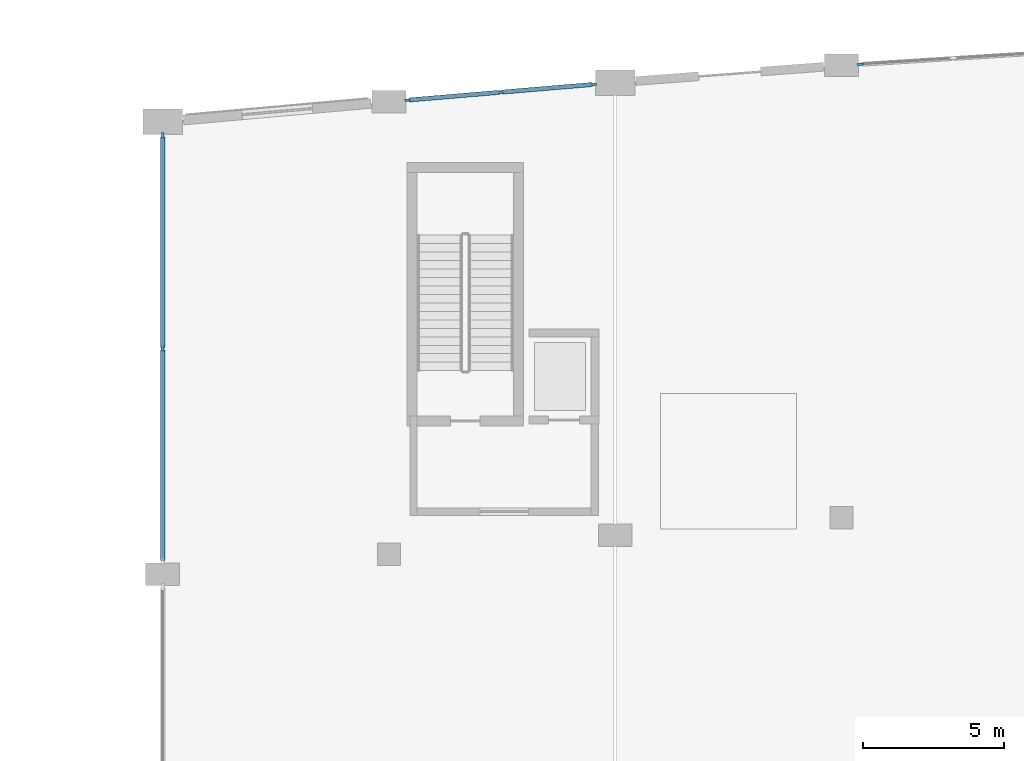
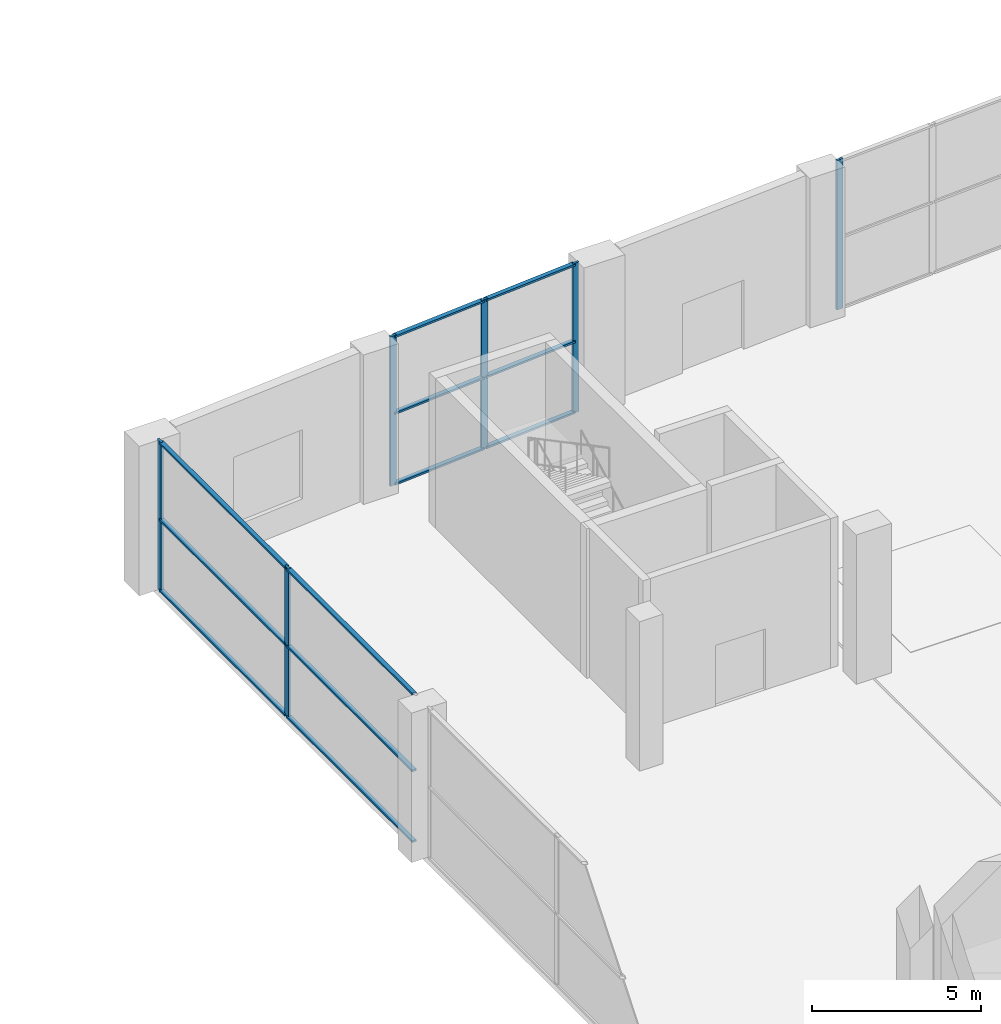
# One storey, part 29 of 86: 18 members, 3 elements without a shape of their own.
"""IFC4 building model written with IfcOpenShell, lengths in metres."""

import ifcopenshell
import ifcopenshell.guid

model = None  # the IFC model being written
_history = None  # IfcOwnerHistory: only IFC2X3 demands one
_inside = {}  # id of a spatial element -> (the spatial element, [elements in it])
_under = {}  # id of a project, library or spatial element -> (it, [spatial elements below it])
_declared = {}  # id of a project -> (the project, [libraries it declares])
_typed = {}  # id of a type object -> (the type object, [elements of that type])
_made_of = {}  # id of a material, layer set ... -> (it, [elements and type objects made of it])


def new_model(schema):
    """Start an empty IFC model of exactly this schema.

    Asked for "IFC4X3", IfcOpenShell would pick the latest addendum, in which some entities
    have other attributes; the version numbers below select the first issue.
    IFC2X3 requires an IfcOwnerHistory on every rooted entity: one is made here for all.
    """
    global model, _history
    if schema == "IFC4X3":
        model = ifcopenshell.file(schema_version=(4, 3, 0, 0))
    else:
        model = ifcopenshell.file(schema=schema)
    _inside.clear()
    _under.clear()
    _declared.clear()
    _typed.clear()
    _made_of.clear()
    _history = None
    if model.schema == "IFC2X3":
        org = make("IfcOrganization", Name="unknown")
        user = make(
            "IfcPersonAndOrganization",
            ThePerson=make("IfcPerson", FamilyName="unknown"),
            TheOrganization=org,
        )
        app = make(
            "IfcApplication",
            ApplicationDeveloper=org,
            Version="unknown",
            ApplicationFullName="unknown",
            ApplicationIdentifier="unknown",
        )
        _history = make(
            "IfcOwnerHistory",
            OwningUser=user,
            OwningApplication=app,
            ChangeAction="ADDED",
            CreationDate=0,
        )
    return model


def make(cls, **values):
    """One entity of the class cls with the attributes given. An attribute that is None is left unset."""
    return model.create_entity(
        cls, **{name: value for name, value in values.items() if value is not None}
    )


def rooted(cls, **values):
    """An entity with a GlobalId (a new one), such as an element, a storey or a relation."""
    return make(cls, GlobalId=ifcopenshell.guid.new(), OwnerHistory=_history, **values)


def si_unit(unit_type, name, prefix=None):
    """IfcSIUnit, for example si_unit("LENGTHUNIT", "METRE", prefix="MILLI")."""
    return make("IfcSIUnit", UnitType=unit_type, Prefix=prefix, Name=name)


def assignment(units):
    """IfcUnitAssignment: the units of a project."""
    return None if units is None else make("IfcUnitAssignment", Units=units)


def point(xyz):
    """IfcCartesianPoint."""
    return None if xyz is None else make("IfcCartesianPoint", Coordinates=xyz)


def direction(xyz):
    """IfcDirection."""
    return None if xyz is None else make("IfcDirection", DirectionRatios=xyz)


def frame(location, z_axis=None, x_axis=None):
    """IfcAxis2Placement3D, a coordinate frame: its origin and axes. An axis left out is left unset."""
    return make(
        "IfcAxis2Placement3D",
        Location=point(location),
        Axis=direction(z_axis),
        RefDirection=direction(x_axis),
    )


def frame_2d(location, x_axis=None):
    """IfcAxis2Placement2D, a coordinate frame in the plane: its origin and x axis."""
    return make(
        "IfcAxis2Placement2D", Location=point(location), RefDirection=direction(x_axis)
    )


def origin():
    """The frame at (0, 0, 0) with its axes left unset."""
    return frame((0.0, 0.0, 0.0))


def origin_2d():
    """The frame at (0, 0) in the plane with its x axis left unset."""
    return frame_2d((0.0, 0.0))


def place(relative_to, where):
    """IfcLocalPlacement: puts the frame where relative to a parent placement (None: the world)."""
    return make(
        "IfcLocalPlacement", PlacementRelTo=relative_to, RelativePlacement=where
    )


def context(
    kind, dimensions, precision=None, world=None, true_north=None, identifier=None
):
    """IfcGeometricRepresentationContext, for example the 3D "Model" context."""
    return make(
        "IfcGeometricRepresentationContext",
        ContextIdentifier=identifier,
        ContextType=kind,
        CoordinateSpaceDimension=dimensions,
        Precision=precision,
        WorldCoordinateSystem=world,
        TrueNorth=true_north,
    )


def subcontext(parent, identifier, kind, view, scale=None):
    """IfcGeometricRepresentationSubContext, for example "Body" below "Model"."""
    return make(
        "IfcGeometricRepresentationSubContext",
        ContextIdentifier=identifier,
        ContextType=kind,
        ParentContext=parent,
        TargetScale=scale,
        TargetView=view,
    )


def project(units=None, contexts=None):
    """IfcProject with its units and contexts."""
    return rooted(
        "IfcProject",
        Name="project",
        RepresentationContexts=contexts,
        UnitsInContext=assignment(units),
    )


def spatial(cls, under=None, at=None, **own):
    """A site, building, storey or space (cls), placed at a placement, below another one or the project."""
    s = rooted(cls, ObjectPlacement=at, **own)
    if under is not None:
        _under.setdefault(under.id(), (under, []))[1].append(s)
    return s


def profile(cls, at=None, kind="AREA", **sizes):
    """A parametric profile (cls). Its sizes go by their IFC names, for example OverallWidth=200.0."""
    return make(cls, ProfileType=kind, Position=at, **sizes)


def rectangle(**sizes):
    """IfcRectangleProfileDef."""
    return profile("IfcRectangleProfileDef", **sizes)


def extrude(swept, where, along, depth):
    """IfcExtrudedAreaSolid: the profile swept, set in the frame where, extruded along a direction by depth."""
    return make(
        "IfcExtrudedAreaSolid",
        SweptArea=swept,
        Position=where,
        ExtrudedDirection=direction(along),
        Depth=depth,
    )


def shape(context_of_items, identifier, shape_type, items):
    """IfcShapeRepresentation: the items that make up one representation, for example the "Body"."""
    return make(
        "IfcShapeRepresentation",
        ContextOfItems=context_of_items,
        RepresentationIdentifier=identifier,
        RepresentationType=shape_type,
        Items=items,
    )


def material(Name=None, Category=None):
    """IfcMaterial."""
    return make("IfcMaterial", Name=Name, Category=Category)


def material_profile(
    of_material, cross_section, Name=None, Category=None, Priority=None
):
    """IfcMaterialProfile: a cross section and its material."""
    return make(
        "IfcMaterialProfile",
        Name=Name,
        Material=of_material,
        Profile=cross_section,
        Priority=Priority,
        Category=Category,
    )


def profile_set(profiles, Name=None, composite=None):
    """IfcMaterialProfileSet."""
    return make(
        "IfcMaterialProfileSet",
        Name=Name,
        MaterialProfiles=profiles,
        CompositeProfile=composite,
    )


def made_of(thing, what):
    """Note that an element or type object is made of a material, layer set ...; save() writes the relation."""
    if what is not None:
        _made_of.setdefault(what.id(), (what, []))[1].append(thing)
    return thing


def type_object(cls, material=None, **own):
    """A type object (cls), such as IfcWallType, which elements share."""
    return made_of(rooted(cls, **own), material)


def element(
    cls,
    number,
    at=None,
    inside=None,
    cuts=None,
    type_object=None,
    material=None,
    context=None,
    identifier="Body",
    shape_type=None,
    held_by="IfcProductDefinitionShape",
    body=None,
    shapes=None,
    **own,
):
    """One element of the class cls, such as IfcWall. Its Tag is "e" and its number.

    at: its placement. inside: the storey or other place that contains it. cuts: it is an
    opening in that element (IfcRelVoidsElement). A single representation is given by context,
    identifier, shape_type and body (its items); several are given by shapes. held_by: the class
    of the entity that holds the representations. save() writes the other relations.
    """
    e = rooted(cls, Tag="e%d" % number, ObjectPlacement=at, **own)
    if body is not None:
        shapes = [shape(context, identifier, shape_type, body)]
    if shapes is not None:
        e.Representation = make(held_by, Representations=shapes)
    if inside is not None:
        _inside.setdefault(inside.id(), (inside, []))[1].append(e)
    if cuts is not None:
        rooted(
            "IfcRelVoidsElement", RelatingBuildingElement=cuts, RelatedOpeningElement=e
        )
    if type_object is not None:
        _typed.setdefault(type_object.id(), (type_object, []))[1].append(e)
    return made_of(e, material)


def aggregate(whole, parts):
    """IfcRelAggregates: a whole, such as a stair, and the parts it consists of."""
    return rooted("IfcRelAggregates", RelatingObject=whole, RelatedObjects=parts)


def save(model, path):
    """Write the relations noted so far, then the file.

    IfcRelAggregates (storeys below a building ...), IfcRelContainedInSpatialStructure (elements
    in a storey), IfcRelDefinesByType, IfcRelAssociatesMaterial and IfcRelDeclares: one each for
    every whole, place, type object, material and project.
    """
    for whole, parts in _under.values():
        aggregate(whole, parts)
    for where, things in _inside.values():
        rooted(
            "IfcRelContainedInSpatialStructure",
            RelatedElements=things,
            RelatingStructure=where,
        )
    for kind, things in _typed.values():
        rooted("IfcRelDefinesByType", RelatedObjects=things, RelatingType=kind)
    for what, things in _made_of.values():
        rooted("IfcRelAssociatesMaterial", RelatedObjects=things, RelatingMaterial=what)
    for by, libraries in _declared.values():
        rooted("IfcRelDeclares", RelatingContext=by, RelatedDefinitions=libraries)
    model.write(path)


model = new_model("IFC4")

# Units and contexts
model_context = context("Model", 3, precision=1e-05, world=origin(), true_north=direction((0.0, 1.0)))
body_context = subcontext(model_context, "Body", "Model", "MODEL_VIEW")
ifc_project = project(units=[si_unit("LENGTHUNIT", "METRE"), si_unit("AREAUNIT", "SQUARE_METRE"), si_unit("VOLUMEUNIT", "CUBIC_METRE"), si_unit("PLANEANGLEUNIT", "RADIAN"), si_unit("MASSUNIT", "GRAM", prefix="KILO")], contexts=[model_context])

# Site, building, storey
site_placement = place(None, origin())
site = spatial("IfcSite", under=ifc_project, at=site_placement, CompositionType="ELEMENT")
building_placement = place(site_placement, origin())
building = spatial("IfcBuilding", under=site, at=building_placement, Name="Kenh Van Central Station", CompositionType="ELEMENT")
storey_placement = place(building_placement, origin())
storey = spatial("IfcBuildingStorey", under=building, at=storey_placement, Name="L00", CompositionType="ELEMENT", Elevation=0.0)

# Curtain wall, members
ifc_material = material(Name="Champagne anodised aluminium", Category="aluminium")
curtain_wall_type_1 = type_object("IfcCurtainWallType", Name="CW-HALL-A", PredefinedType="NOTDEFINED", material=ifc_material)
curtain_wall_1_placement = place(storey_placement, origin())
curtain_wall_1 = element("IfcCurtainWall", 1, at=curtain_wall_1_placement, inside=storey, type_object=curtain_wall_type_1, Name="L00 curtain wall 018", PredefinedType="NOTDEFINED")
ifc_material_profile_1 = material_profile(ifc_material, rectangle(XDim=0.08203125, YDim=0.22509765625, at=origin_2d()), Name="AL 82x225")
ifc_profile_set_1 = profile_set([ifc_material_profile_1], Name="Champagne anodised aluminium")
member_type_1 = type_object("IfcMemberType", Name="CWM-70x180", PredefinedType="MULLION", material=ifc_profile_set_1)
member_1_placement = place(storey_placement, frame((32.0, 103.97509765625, 0.0), z_axis=(0.0, 0.0, 1.0), x_axis=(-1.0, 0.0, 0.0)))
member_1 = element("IfcMember", 2, at=member_1_placement, type_object=member_type_1, Name="CW-01 mullion 2", PredefinedType="MULLION", context=body_context, shape_type="SweptSolid", body=[
    extrude(rectangle(XDim=0.08203125, YDim=0.22509765625, at=origin_2d()), origin(), (0.0, 0.0, 1.0), 5.39990234375),
])
member_2_placement = place(storey_placement, frame((32.0, 111.509033203125, 0.0), z_axis=(0.0, 0.0, 1.0), x_axis=(-1.0, 0.0, 0.0)))
member_2 = element("IfcMember", 3, at=member_2_placement, type_object=member_type_1, Name="CW-01 mullion 3", PredefinedType="MULLION", context=body_context, shape_type="SweptSolid", body=[
    extrude(rectangle(XDim=0.08203125, YDim=0.22509765625, at=origin_2d()), origin(), (0.0, 0.0, 1.0), 5.39990234375),
])

curtain_wall_type_2 = type_object("IfcCurtainWallType", Name="CW-HALL-B", PredefinedType="NOTDEFINED", material=ifc_material)
curtain_wall_2_placement = place(storey_placement, origin())
curtain_wall_2 = element("IfcCurtainWall", 4, at=curtain_wall_2_placement, inside=storey, type_object=curtain_wall_type_2, Name="L00 curtain wall 003", PredefinedType="NOTDEFINED")
ifc_material_profile_2 = material_profile(ifc_material, rectangle(XDim=0.080078125, YDim=0.219970703125, at=origin_2d()), Name="AL 80x220")
ifc_profile_set_2 = profile_set([ifc_material_profile_2], Name="Champagne anodised aluminium")
member_type_2 = type_object("IfcMemberType", Name="CWM-80x220", PredefinedType="MULLION", material=ifc_profile_set_2)
member_3_placement = place(storey_placement, frame((47.227294921875, 113.3232421875, 0.0), z_axis=(0.0, 0.0, 1.0), x_axis=(0.084244265333, -0.996445133341, 0.0)))
member_3 = element("IfcMember", 5, at=member_3_placement, type_object=member_type_2, Name="CW-02 mullion 1", PredefinedType="MULLION", context=body_context, shape_type="SweptSolid", body=[
    extrude(rectangle(XDim=0.080078125, YDim=0.219970703125, at=origin_2d()), origin(), (0.0, 0.0, 1.0), 5.39990234375),
])
member_4_placement = place(storey_placement, frame((43.9482421875, 113.0458984375, 0.0), z_axis=(0.0, 0.0, 1.0), x_axis=(0.084244265333, -0.996445133341, 0.0)))
member_4 = element("IfcMember", 6, at=member_4_placement, type_object=member_type_2, Name="CW-02 mullion 2", PredefinedType="MULLION", context=body_context, shape_type="SweptSolid", body=[
    extrude(rectangle(XDim=0.080078125, YDim=0.219970703125, at=origin_2d()), origin(), (0.0, 0.0, 1.0), 5.39990234375),
])
member_5_placement = place(storey_placement, frame((40.669189453125, 112.7685546875, 0.0), z_axis=(0.0, 0.0, 1.0), x_axis=(0.084244265333, -0.996445133341, 0.0)))
member_5 = element("IfcMember", 7, at=member_5_placement, type_object=member_type_2, Name="CW-02 mullion 3", PredefinedType="MULLION", context=body_context, shape_type="SweptSolid", body=[
    extrude(rectangle(XDim=0.080078125, YDim=0.219970703125, at=origin_2d()), origin(), (0.0, 0.0, 1.0), 5.39990234375),
])

# Curtain wall, member
curtain_wall_3_placement = place(storey_placement, origin())
curtain_wall_3 = element("IfcCurtainWall", 8, at=curtain_wall_3_placement, inside=storey, type_object=curtain_wall_type_2, Name="L00 curtain wall 005", PredefinedType="NOTDEFINED")
member_6_placement = place(storey_placement, frame((56.662841796875, 114.037109375, 0.0), z_axis=(0.0, 0.0, 1.0), x_axis=(0.063211477724, -0.998000154852, 0.0)))
member_6 = element("IfcMember", 9, at=member_6_placement, type_object=member_type_2, Name="CW-02 mullion 3", PredefinedType="MULLION", context=body_context, shape_type="SweptSolid", body=[
    extrude(rectangle(XDim=0.080078125, YDim=0.219970703125, at=origin_2d()), origin(), (0.0, 0.0, 1.0), 5.39990234375),
])
aggregate(curtain_wall_3, [member_6])

# Member
ifc_material_profile_3 = material_profile(ifc_material, rectangle(XDim=0.14990234375, YDim=0.070068359375, at=origin_2d()), Name="AL 150x70")
ifc_profile_set_3 = profile_set([ifc_material_profile_3], Name="Champagne anodised aluminium")
member_type_3 = type_object("IfcMemberType", Name="CWT-150x70", PredefinedType="USERDEFINED", material=ifc_profile_set_3)
member_7_placement = place(storey_placement, frame((47.1875, 113.31982421875, 0.034912109375), z_axis=(-0.996444876406, -0.084247304316, 0.0), x_axis=(0.084247304316, -0.996444876406, 0.0)))
member_7 = element("IfcMember", 10, at=member_7_placement, type_object=member_type_3, Name="CW-02 transom 1.1", ObjectType="TRANSOM", PredefinedType="USERDEFINED", context=body_context, shape_type="SweptSolid", body=[
    extrude(rectangle(XDim=0.14990234375, YDim=0.070068359375, at=origin_2d()), origin(), (0.0, 0.0, 1.0), 3.2109375),
])

member_8_placement = place(storey_placement, frame((47.1875, 113.31982421875, 2.592041015625), z_axis=(-0.996444876406, -0.084247304316, 0.0), x_axis=(0.084247304316, -0.996444876406, 0.0)))
member_8 = element("IfcMember", 11, at=member_8_placement, type_object=member_type_3, Name="CW-02 transom 1.2", ObjectType="TRANSOM", PredefinedType="USERDEFINED", context=body_context, shape_type="SweptSolid", body=[
    extrude(rectangle(XDim=0.14990234375, YDim=0.070068359375, at=origin_2d()), origin(), (0.0, 0.0, 1.0), 3.2109375),
])

member_9_placement = place(storey_placement, frame((47.1875, 113.31982421875, 5.364990234375), z_axis=(-0.996444876406, -0.084247304316, 0.0), x_axis=(0.084247304316, -0.996444876406, 0.0)))
member_9 = element("IfcMember", 12, at=member_9_placement, type_object=member_type_3, Name="CW-02 transom 1.3", ObjectType="TRANSOM", PredefinedType="USERDEFINED", context=body_context, shape_type="SweptSolid", body=[
    extrude(rectangle(XDim=0.14990234375, YDim=0.070068359375, at=origin_2d()), origin(), (0.0, 0.0, 1.0), 3.2109375),
])

member_10_placement = place(storey_placement, frame((43.908447265625, 113.04248046875, 0.034912109375), z_axis=(-0.996444876406, -0.084247304316, 0.0), x_axis=(0.084247304316, -0.996444876406, 0.0)))
member_10 = element("IfcMember", 13, at=member_10_placement, type_object=member_type_3, Name="CW-02 transom 2.1", ObjectType="TRANSOM", PredefinedType="USERDEFINED", context=body_context, shape_type="SweptSolid", body=[
    extrude(rectangle(XDim=0.14990234375, YDim=0.070068359375, at=origin_2d()), origin(), (0.0, 0.0, 1.0), 3.2109375),
])

member_11_placement = place(storey_placement, frame((43.908447265625, 113.04248046875, 2.592041015625), z_axis=(-0.996444876406, -0.084247304316, 0.0), x_axis=(0.084247304316, -0.996444876406, 0.0)))
member_11 = element("IfcMember", 14, at=member_11_placement, type_object=member_type_3, Name="CW-02 transom 2.2", ObjectType="TRANSOM", PredefinedType="USERDEFINED", context=body_context, shape_type="SweptSolid", body=[
    extrude(rectangle(XDim=0.14990234375, YDim=0.070068359375, at=origin_2d()), origin(), (0.0, 0.0, 1.0), 3.2109375),
])

member_12_placement = place(storey_placement, frame((43.908447265625, 113.04248046875, 5.364990234375), z_axis=(-0.996444876406, -0.084247304316, 0.0), x_axis=(0.084247304316, -0.996444876406, 0.0)))
member_12 = element("IfcMember", 15, at=member_12_placement, type_object=member_type_3, Name="CW-02 transom 2.3", ObjectType="TRANSOM", PredefinedType="USERDEFINED", context=body_context, shape_type="SweptSolid", body=[
    extrude(rectangle(XDim=0.14990234375, YDim=0.070068359375, at=origin_2d()), origin(), (0.0, 0.0, 1.0), 3.2109375),
])

aggregate(curtain_wall_2, [member_3, member_4, member_5, member_7, member_8, member_9, member_10, member_11, member_12])

member_13_placement = place(storey_placement, frame((32.0, 96.48193359375, 0.034912109375), z_axis=(0.0, 1.0, 0.0), x_axis=(-1.0, 0.0, 0.0)))
member_13 = element("IfcMember", 16, at=member_13_placement, type_object=member_type_3, Name="CW-01 transom 1.1", ObjectType="TRANSOM", PredefinedType="USERDEFINED", context=body_context, shape_type="SweptSolid", body=[
    extrude(rectangle(XDim=0.14990234375, YDim=0.070068359375, at=origin_2d()), origin(), (0.0, 0.0, 1.0), 7.4521484375),
])

member_14_placement = place(storey_placement, frame((32.0, 96.48193359375, 2.592041015625), z_axis=(0.0, 1.0, 0.0), x_axis=(-1.0, 0.0, 0.0)))
member_14 = element("IfcMember", 17, at=member_14_placement, type_object=member_type_3, Name="CW-01 transom 1.2", ObjectType="TRANSOM", PredefinedType="USERDEFINED", context=body_context, shape_type="SweptSolid", body=[
    extrude(rectangle(XDim=0.14990234375, YDim=0.070068359375, at=origin_2d()), origin(), (0.0, 0.0, 1.0), 7.4521484375),
])

member_15_placement = place(storey_placement, frame((32.0, 96.48193359375, 5.364990234375), z_axis=(0.0, 1.0, 0.0), x_axis=(-1.0, 0.0, 0.0)))
member_15 = element("IfcMember", 18, at=member_15_placement, type_object=member_type_3, Name="CW-01 transom 1.3", ObjectType="TRANSOM", PredefinedType="USERDEFINED", context=body_context, shape_type="SweptSolid", body=[
    extrude(rectangle(XDim=0.14990234375, YDim=0.070068359375, at=origin_2d()), origin(), (0.0, 0.0, 1.0), 7.4521484375),
])

member_16_placement = place(storey_placement, frame((32.0, 104.01611328125, 0.034912109375), z_axis=(0.0, 1.0, 0.0), x_axis=(-1.0, 0.0, 0.0)))
member_16 = element("IfcMember", 19, at=member_16_placement, type_object=member_type_3, Name="CW-01 transom 2.1", ObjectType="TRANSOM", PredefinedType="USERDEFINED", context=body_context, shape_type="SweptSolid", body=[
    extrude(rectangle(XDim=0.14990234375, YDim=0.070068359375, at=origin_2d()), origin(), (0.0, 0.0, 1.0), 7.451904296875),
])

member_17_placement = place(storey_placement, frame((32.0, 104.01611328125, 2.592041015625), z_axis=(0.0, 1.0, 0.0), x_axis=(-1.0, 0.0, 0.0)))
member_17 = element("IfcMember", 20, at=member_17_placement, type_object=member_type_3, Name="CW-01 transom 2.2", ObjectType="TRANSOM", PredefinedType="USERDEFINED", context=body_context, shape_type="SweptSolid", body=[
    extrude(rectangle(XDim=0.14990234375, YDim=0.070068359375, at=origin_2d()), origin(), (0.0, 0.0, 1.0), 7.451904296875),
])

member_18_placement = place(storey_placement, frame((32.0, 104.01611328125, 5.364990234375), z_axis=(0.0, 1.0, 0.0), x_axis=(-1.0, 0.0, 0.0)))
member_18 = element("IfcMember", 21, at=member_18_placement, type_object=member_type_3, Name="CW-01 transom 2.3", ObjectType="TRANSOM", PredefinedType="USERDEFINED", context=body_context, shape_type="SweptSolid", body=[
    extrude(rectangle(XDim=0.14990234375, YDim=0.070068359375, at=origin_2d()), origin(), (0.0, 0.0, 1.0), 7.451904296875),
])

aggregate(curtain_wall_1, [member_1, member_2, member_13, member_14, member_15, member_16, member_17, member_18])

save(model, "model.ifc")
